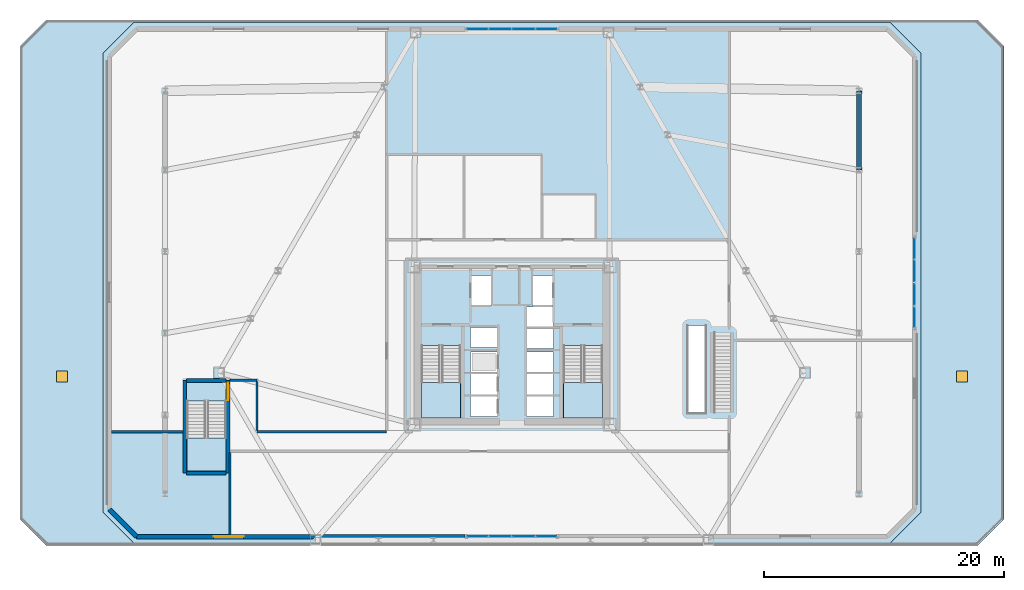
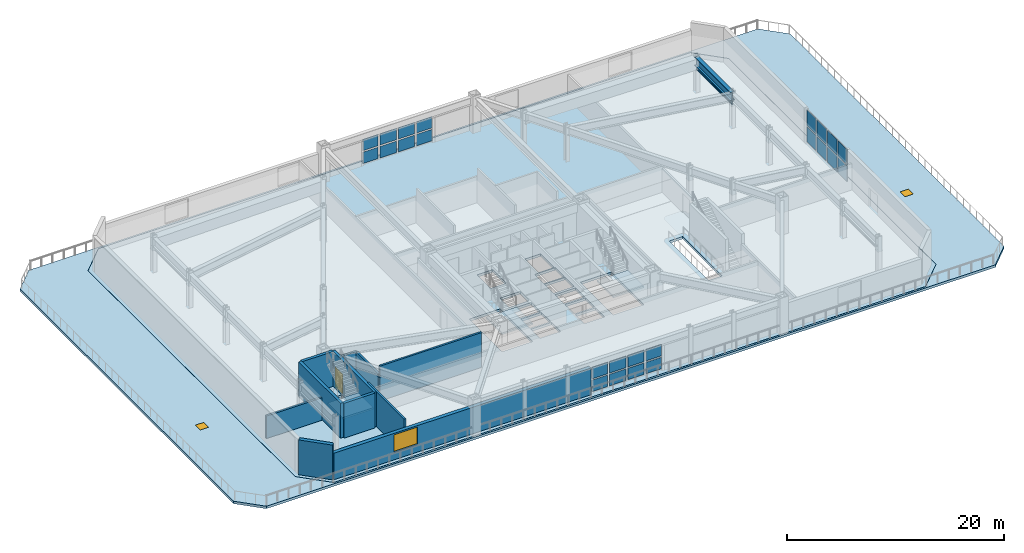
# One storey, part 7 of 16: 24 plates, 11 walls, 5 slabs, 3 windows, 2 beams, 1 door, 4 openings, 6 elements without a shape of their own.
"""IFC4 building model written with IfcOpenShell, lengths in metres."""

from ifc_helpers import new_model, si_unit, direction, frame, frame_2d, origin, origin_2d, place, context, subcontext, project, spatial, polyline, rectangle, i_section, outline, extrude, material, layer, layer_set, material_profile, profile_set, type_object, element, fill, aggregate, save


model = new_model("IFC4")

# Units and contexts
model_context = context("Model", 3, precision=1e-05, world=origin(), true_north=direction((0.0, 1.0)))
body_context = subcontext(model_context, "Body", "Model", "MODEL_VIEW")
ifc_project = project(units=[si_unit("LENGTHUNIT", "METRE"), si_unit("AREAUNIT", "SQUARE_METRE"), si_unit("VOLUMEUNIT", "CUBIC_METRE"), si_unit("PLANEANGLEUNIT", "RADIAN"), si_unit("MASSUNIT", "GRAM", prefix="KILO")], contexts=[model_context])

# Site, building, storey
site_placement = place(None, origin())
site = spatial("IfcSite", under=ifc_project, at=site_placement, CompositionType="ELEMENT")
building_placement = place(site_placement, origin())
building = spatial("IfcBuilding", under=site, at=building_placement, Name="Oramaril Tower", CompositionType="ELEMENT")
storey_placement = place(building_placement, frame((0.0, 0.0, 9.89990234375)))
storey = spatial("IfcBuildingStorey", under=building, at=storey_placement, Name="L02", CompositionType="ELEMENT", Elevation=9.89990234375)

# Beams
ifc_material_1 = material(Name="Steel ASTM A572 Gr 50", Category="steel")
ifc_material_profile_1 = material_profile(ifc_material_1, i_section(OverallWidth=0.1650390625, OverallDepth=0.31005859375, WebThickness=0.005859375, FlangeThickness=0.009765625, at=origin_2d()), Name="W12X26")
ifc_profile_set_1 = profile_set([ifc_material_profile_1], Name="Steel ASTM A572 Gr 50")
beam_type_1 = type_object("IfcBeamType", Name="BT-LN1", PredefinedType="LINTEL", material=ifc_profile_set_1)
beam_1_placement = place(storey_placement, frame((66.39990234375, 32.199951171875, 2.695068359375), z_axis=(0.0, 1.0, 0.0), x_axis=(-1.0, 0.0, 0.0)))
element("IfcBeam", 1, at=beam_1_placement, inside=storey, type_object=beam_type_1, Name="L02 Podium Opening Lintel Beam", PredefinedType="LINTEL", context=body_context, shape_type="SweptSolid", body=[
    extrude(i_section(OverallWidth=0.1650390625, OverallDepth=0.31005859375, WebThickness=0.005859375, FlangeThickness=0.009765625, at=origin_2d()), origin(), (0.0, 0.0, 1.0), 6.60009765625),
])
ifc_material_2 = material(Name="Steel ASTM A572 Gr 50", Category="steel")
ifc_material_profile_2 = material_profile(ifc_material_2, i_section(OverallWidth=0.4189453125, OverallDepth=0.927001953125, WebThickness=0.019287109375, FlangeThickness=0.031982421875, at=origin_2d()), Name="W36X231")
ifc_profile_set_2 = profile_set([ifc_material_profile_2], Name="Steel ASTM A572 Gr 50")
beam_type_2 = type_object("IfcBeamType", Name="BT-PG2", PredefinedType="BEAM", material=ifc_profile_set_2)
beam_2_placement = place(storey_placement, frame((66.39990234375, 32.199951171875, 3.45654296875), z_axis=(0.0, 1.0, 0.0), x_axis=(-1.0, 0.0, 0.0)))
element("IfcBeam", 2, at=beam_2_placement, inside=storey, type_object=beam_type_2, Name="L02 Podium Perimeter Girder 11", PredefinedType="BEAM", context=body_context, shape_type="SweptSolid", body=[
    extrude(i_section(OverallWidth=0.4189453125, OverallDepth=0.927001953125, WebThickness=0.019287109375, FlangeThickness=0.031982421875, at=origin_2d()), origin(), (0.0, 0.0, 1.0), 6.60009765625),
])

# Curtain wall, plates
ifc_material_3 = material(Name="Anodised Aluminium 6063-T6", Category="aluminium")
ifc_layer_1 = layer(ifc_material_3, 0.219970703125)
ifc_layer_set_1 = layer_set([ifc_layer_1], Name="CWT-SYS1")
curtain_wall_type = type_object("IfcCurtainWallType", Name="CWT-SYS1", PredefinedType="NOTDEFINED", material=ifc_layer_set_1)
curtain_wall_1_placement = place(storey_placement, origin())
curtain_wall_1 = element("IfcCurtainWall", 3, at=curtain_wall_1_placement, inside=storey, type_object=curtain_wall_type, Name="L02 Unitised Curtain Wall CW-1", PredefinedType="NOTDEFINED")
ifc_material_4 = material(Name="Coastal Low-E Insulated Glass", Category="glass")
ifc_layer_2 = layer(ifc_material_4, 0.031982421875)
ifc_layer_set_2 = layer_set([ifc_layer_2], Name="PLT-CWP2")
plate_type = type_object("IfcPlateType", Name="PLT-CWP2", PredefinedType="CURTAIN_PANEL", material=ifc_layer_set_2)
plate_1_placement = place(storey_placement, frame((34.6298828125, 1.64990234375, 0.16015625), z_axis=(0.0, 0.0, 1.0), x_axis=(1.0, 0.0, 0.0)))
plate_1 = element("IfcPlate", 4, at=plate_1_placement, type_object=plate_type, Name="CW-1 panel 1.1", PredefinedType="CURTAIN_PANEL", context=body_context, shape_type="SweptSolid", body=[
    extrude(rectangle(XDim=1.6201171875, YDim=0.031982421875, at=origin_2d()), origin(), (0.0, 0.0, 1.0), 1.287109375),
])
plate_2_placement = place(storey_placement, frame((34.6298828125, 1.64990234375, 1.60693359375), z_axis=(0.0, 0.0, 1.0), x_axis=(1.0, 0.0, 0.0)))
plate_2 = element("IfcPlate", 5, at=plate_2_placement, type_object=plate_type, Name="CW-1 panel 1.2", PredefinedType="CURTAIN_PANEL", context=body_context, shape_type="SweptSolid", body=[
    extrude(rectangle(XDim=1.6201171875, YDim=0.031982421875, at=origin_2d()), origin(), (0.0, 0.0, 1.0), 1.287109375),
])
plate_3_placement = place(storey_placement, frame((36.52490234375, 1.64990234375, 0.16015625), z_axis=(0.0, 0.0, 1.0), x_axis=(1.0, 0.0, 0.0)))
plate_3 = element("IfcPlate", 6, at=plate_3_placement, type_object=plate_type, Name="CW-1 panel 2.1", PredefinedType="CURTAIN_PANEL", context=body_context, shape_type="SweptSolid", body=[
    extrude(rectangle(XDim=1.72998046875, YDim=0.031982421875, at=origin_2d()), origin(), (0.0, 0.0, 1.0), 1.287109375),
])
plate_4_placement = place(storey_placement, frame((36.52490234375, 1.64990234375, 1.60693359375), z_axis=(0.0, 0.0, 1.0), x_axis=(1.0, 0.0, 0.0)))
plate_4 = element("IfcPlate", 7, at=plate_4_placement, type_object=plate_type, Name="CW-1 panel 2.2", PredefinedType="CURTAIN_PANEL", context=body_context, shape_type="SweptSolid", body=[
    extrude(rectangle(XDim=1.72998046875, YDim=0.031982421875, at=origin_2d()), origin(), (0.0, 0.0, 1.0), 1.287109375),
])
plate_5_placement = place(storey_placement, frame((38.47509765625, 1.64990234375, 0.16015625), z_axis=(0.0, 0.0, 1.0), x_axis=(1.0, 0.0, 0.0)))
plate_5 = element("IfcPlate", 8, at=plate_5_placement, type_object=plate_type, Name="CW-1 panel 3.1", PredefinedType="CURTAIN_PANEL", context=body_context, shape_type="SweptSolid", body=[
    extrude(rectangle(XDim=1.72998046875, YDim=0.031982421875, at=origin_2d()), origin(), (0.0, 0.0, 1.0), 1.287109375),
])
plate_6_placement = place(storey_placement, frame((38.47509765625, 1.64990234375, 1.60693359375), z_axis=(0.0, 0.0, 1.0), x_axis=(1.0, 0.0, 0.0)))
plate_6 = element("IfcPlate", 9, at=plate_6_placement, type_object=plate_type, Name="CW-1 panel 3.2", PredefinedType="CURTAIN_PANEL", context=body_context, shape_type="SweptSolid", body=[
    extrude(rectangle(XDim=1.72998046875, YDim=0.031982421875, at=origin_2d()), origin(), (0.0, 0.0, 1.0), 1.287109375),
])
plate_7_placement = place(storey_placement, frame((40.3701171875, 1.64990234375, 0.16015625), z_axis=(0.0, 0.0, 1.0), x_axis=(1.0, 0.0, 0.0)))
plate_7 = element("IfcPlate", 10, at=plate_7_placement, type_object=plate_type, Name="CW-1 panel 4.1", PredefinedType="CURTAIN_PANEL", context=body_context, shape_type="SweptSolid", body=[
    extrude(rectangle(XDim=1.6201171875, YDim=0.031982421875, at=origin_2d()), origin(), (0.0, 0.0, 1.0), 1.287109375),
])
plate_8_placement = place(storey_placement, frame((40.3701171875, 1.64990234375, 1.60693359375), z_axis=(0.0, 0.0, 1.0), x_axis=(1.0, 0.0, 0.0)))
plate_8 = element("IfcPlate", 11, at=plate_8_placement, type_object=plate_type, Name="CW-1 panel 4.2", PredefinedType="CURTAIN_PANEL", context=body_context, shape_type="SweptSolid", body=[
    extrude(rectangle(XDim=1.6201171875, YDim=0.031982421875, at=origin_2d()), origin(), (0.0, 0.0, 1.0), 1.287109375),
])
aggregate(curtain_wall_1, [plate_1, plate_2, plate_3, plate_4, plate_5, plate_6, plate_7, plate_8])

curtain_wall_2_placement = place(storey_placement, origin())
curtain_wall_2 = element("IfcCurtainWall", 12, at=curtain_wall_2_placement, inside=storey, type_object=curtain_wall_type, Name="L02 Unitised Curtain Wall CW-1", PredefinedType="NOTDEFINED")
plate_9_placement = place(storey_placement, frame((71.050048828125, 19.929931640625, 0.16015625), z_axis=(0.0, 0.0, 1.0), x_axis=(0.0, 1.0, 0.0)))
plate_9 = element("IfcPlate", 13, at=plate_9_placement, type_object=plate_type, Name="CW-1 panel 1.1", PredefinedType="CURTAIN_PANEL", context=body_context, shape_type="SweptSolid", body=[
    extrude(rectangle(XDim=1.6201171875, YDim=0.031982421875, at=origin_2d()), origin(), (0.0, 0.0, 1.0), 1.719970703125),
])
plate_10_placement = place(storey_placement, frame((71.050048828125, 19.929931640625, 2.0400390625), z_axis=(0.0, 0.0, 1.0), x_axis=(0.0, 1.0, 0.0)))
plate_10 = element("IfcPlate", 14, at=plate_10_placement, type_object=plate_type, Name="CW-1 panel 1.2", PredefinedType="CURTAIN_PANEL", context=body_context, shape_type="SweptSolid", body=[
    extrude(rectangle(XDim=1.6201171875, YDim=0.031982421875, at=origin_2d()), origin(), (0.0, 0.0, 1.0), 1.719970703125),
])
plate_11_placement = place(storey_placement, frame((71.050048828125, 21.824951171875, 0.16015625), z_axis=(0.0, 0.0, 1.0), x_axis=(0.0, 1.0, 0.0)))
plate_11 = element("IfcPlate", 15, at=plate_11_placement, type_object=plate_type, Name="CW-1 panel 2.1", PredefinedType="CURTAIN_PANEL", context=body_context, shape_type="SweptSolid", body=[
    extrude(rectangle(XDim=1.72998046875, YDim=0.031982421875, at=origin_2d()), origin(), (0.0, 0.0, 1.0), 1.719970703125),
])
plate_12_placement = place(storey_placement, frame((71.050048828125, 21.824951171875, 2.0400390625), z_axis=(0.0, 0.0, 1.0), x_axis=(0.0, 1.0, 0.0)))
plate_12 = element("IfcPlate", 16, at=plate_12_placement, type_object=plate_type, Name="CW-1 panel 2.2", PredefinedType="CURTAIN_PANEL", context=body_context, shape_type="SweptSolid", body=[
    extrude(rectangle(XDim=1.72998046875, YDim=0.031982421875, at=origin_2d()), origin(), (0.0, 0.0, 1.0), 1.719970703125),
])
plate_13_placement = place(storey_placement, frame((71.050048828125, 23.77490234375, 0.16015625), z_axis=(0.0, 0.0, 1.0), x_axis=(0.0, 1.0, 0.0)))
plate_13 = element("IfcPlate", 17, at=plate_13_placement, type_object=plate_type, Name="CW-1 panel 3.1", PredefinedType="CURTAIN_PANEL", context=body_context, shape_type="SweptSolid", body=[
    extrude(rectangle(XDim=1.72998046875, YDim=0.031982421875, at=origin_2d()), origin(), (0.0, 0.0, 1.0), 1.719970703125),
])
plate_14_placement = place(storey_placement, frame((71.050048828125, 23.77490234375, 2.0400390625), z_axis=(0.0, 0.0, 1.0), x_axis=(0.0, 1.0, 0.0)))
plate_14 = element("IfcPlate", 18, at=plate_14_placement, type_object=plate_type, Name="CW-1 panel 3.2", PredefinedType="CURTAIN_PANEL", context=body_context, shape_type="SweptSolid", body=[
    extrude(rectangle(XDim=1.72998046875, YDim=0.031982421875, at=origin_2d()), origin(), (0.0, 0.0, 1.0), 1.719970703125),
])
plate_15_placement = place(storey_placement, frame((71.050048828125, 25.669921875, 0.16015625), z_axis=(0.0, 0.0, 1.0), x_axis=(0.0, 1.0, 0.0)))
plate_15 = element("IfcPlate", 19, at=plate_15_placement, type_object=plate_type, Name="CW-1 panel 4.1", PredefinedType="CURTAIN_PANEL", context=body_context, shape_type="SweptSolid", body=[
    extrude(rectangle(XDim=1.6201171875, YDim=0.031982421875, at=origin_2d()), origin(), (0.0, 0.0, 1.0), 1.719970703125),
])
plate_16_placement = place(storey_placement, frame((71.050048828125, 25.669921875, 2.0400390625), z_axis=(0.0, 0.0, 1.0), x_axis=(0.0, 1.0, 0.0)))
plate_16 = element("IfcPlate", 20, at=plate_16_placement, type_object=plate_type, Name="CW-1 panel 4.2", PredefinedType="CURTAIN_PANEL", context=body_context, shape_type="SweptSolid", body=[
    extrude(rectangle(XDim=1.6201171875, YDim=0.031982421875, at=origin_2d()), origin(), (0.0, 0.0, 1.0), 1.719970703125),
])
aggregate(curtain_wall_2, [plate_9, plate_10, plate_11, plate_12, plate_13, plate_14, plate_15, plate_16])

curtain_wall_3_placement = place(storey_placement, origin())
curtain_wall_3 = element("IfcCurtainWall", 21, at=curtain_wall_3_placement, inside=storey, type_object=curtain_wall_type, Name="L02 Unitised Curtain Wall CW-1", PredefinedType="NOTDEFINED")
plate_17_placement = place(storey_placement, frame((40.3701171875, 43.949951171875, 0.16015625), z_axis=(0.0, 0.0, 1.0), x_axis=(-1.0, 0.0, 0.0)))
plate_17 = element("IfcPlate", 22, at=plate_17_placement, type_object=plate_type, Name="CW-1 panel 1.1", PredefinedType="CURTAIN_PANEL", context=body_context, shape_type="SweptSolid", body=[
    extrude(rectangle(XDim=1.6201171875, YDim=0.031982421875, at=origin_2d()), origin(), (0.0, 0.0, 1.0), 1.287109375),
])
plate_18_placement = place(storey_placement, frame((40.3701171875, 43.949951171875, 1.60693359375), z_axis=(0.0, 0.0, 1.0), x_axis=(-1.0, 0.0, 0.0)))
plate_18 = element("IfcPlate", 23, at=plate_18_placement, type_object=plate_type, Name="CW-1 panel 1.2", PredefinedType="CURTAIN_PANEL", context=body_context, shape_type="SweptSolid", body=[
    extrude(rectangle(XDim=1.6201171875, YDim=0.031982421875, at=origin_2d()), origin(), (0.0, 0.0, 1.0), 1.287109375),
])
plate_19_placement = place(storey_placement, frame((38.47509765625, 43.949951171875, 0.16015625), z_axis=(0.0, 0.0, 1.0), x_axis=(-1.0, 0.0, 0.0)))
plate_19 = element("IfcPlate", 24, at=plate_19_placement, type_object=plate_type, Name="CW-1 panel 2.1", PredefinedType="CURTAIN_PANEL", context=body_context, shape_type="SweptSolid", body=[
    extrude(rectangle(XDim=1.72998046875, YDim=0.031982421875, at=origin_2d()), origin(), (0.0, 0.0, 1.0), 1.287109375),
])
plate_20_placement = place(storey_placement, frame((38.47509765625, 43.949951171875, 1.60693359375), z_axis=(0.0, 0.0, 1.0), x_axis=(-1.0, 0.0, 0.0)))
plate_20 = element("IfcPlate", 25, at=plate_20_placement, type_object=plate_type, Name="CW-1 panel 2.2", PredefinedType="CURTAIN_PANEL", context=body_context, shape_type="SweptSolid", body=[
    extrude(rectangle(XDim=1.72998046875, YDim=0.031982421875, at=origin_2d()), origin(), (0.0, 0.0, 1.0), 1.287109375),
])
plate_21_placement = place(storey_placement, frame((36.52490234375, 43.949951171875, 0.16015625), z_axis=(0.0, 0.0, 1.0), x_axis=(-1.0, 0.0, 0.0)))
plate_21 = element("IfcPlate", 26, at=plate_21_placement, type_object=plate_type, Name="CW-1 panel 3.1", PredefinedType="CURTAIN_PANEL", context=body_context, shape_type="SweptSolid", body=[
    extrude(rectangle(XDim=1.72998046875, YDim=0.031982421875, at=origin_2d()), origin(), (0.0, 0.0, 1.0), 1.287109375),
])
plate_22_placement = place(storey_placement, frame((36.52490234375, 43.949951171875, 1.60693359375), z_axis=(0.0, 0.0, 1.0), x_axis=(-1.0, 0.0, 0.0)))
plate_22 = element("IfcPlate", 27, at=plate_22_placement, type_object=plate_type, Name="CW-1 panel 3.2", PredefinedType="CURTAIN_PANEL", context=body_context, shape_type="SweptSolid", body=[
    extrude(rectangle(XDim=1.72998046875, YDim=0.031982421875, at=origin_2d()), origin(), (0.0, 0.0, 1.0), 1.287109375),
])
plate_23_placement = place(storey_placement, frame((34.6298828125, 43.949951171875, 0.16015625), z_axis=(0.0, 0.0, 1.0), x_axis=(-1.0, 0.0, 0.0)))
plate_23 = element("IfcPlate", 28, at=plate_23_placement, type_object=plate_type, Name="CW-1 panel 4.1", PredefinedType="CURTAIN_PANEL", context=body_context, shape_type="SweptSolid", body=[
    extrude(rectangle(XDim=1.6201171875, YDim=0.031982421875, at=origin_2d()), origin(), (0.0, 0.0, 1.0), 1.287109375),
])
plate_24_placement = place(storey_placement, frame((34.6298828125, 43.949951171875, 1.60693359375), z_axis=(0.0, 0.0, 1.0), x_axis=(-1.0, 0.0, 0.0)))
plate_24 = element("IfcPlate", 29, at=plate_24_placement, type_object=plate_type, Name="CW-1 panel 4.2", PredefinedType="CURTAIN_PANEL", context=body_context, shape_type="SweptSolid", body=[
    extrude(rectangle(XDim=1.6201171875, YDim=0.031982421875, at=origin_2d()), origin(), (0.0, 0.0, 1.0), 1.287109375),
])
aggregate(curtain_wall_3, [plate_17, plate_18, plate_19, plate_20, plate_21, plate_22, plate_23, plate_24])

# Stair, slab
ifc_material_5 = material(Name="Concrete C50/60", Category="concrete")
stair_type = type_object("IfcStairType", Name="STT-DG-4200", PredefinedType="HALF_TURN_STAIR", material=ifc_material_5)
stair_1_placement = place(storey_placement, origin())
stair_1 = element("IfcStair", 30, at=stair_1_placement, inside=storey, type_object=stair_type, Name="L02 Protected PFP Exit Stair ST-1", PredefinedType="HALF_TURN_STAIR")
ifc_material_6 = material(Name="Concrete C50/60", Category="concrete")
ifc_layer_3 = layer(ifc_material_6, 0.199951171875)
ifc_layer_set_3 = layer_set([ifc_layer_3], Name="SLT-LND20")
slab_type_1 = type_object("IfcSlabType", Name="SLT-LND20", PredefinedType="LANDING", material=ifc_layer_set_3)
slab_1_placement = place(storey_placement, frame((0.0, 0.0, 1.900146484375)))
slab_1 = element("IfcSlab", 31, at=slab_1_placement, type_object=slab_type_1, Name="ST-1 landing 1", PredefinedType="LANDING", context=body_context, shape_type="SweptSolid", body=[
    extrude(outline(polyline([(29.949951171875, 14.510009765625), (29.949951171875, 11.550048828125), (33.219970703125, 11.550048828125), (33.219970703125, 14.510009765625), (29.949951171875, 14.510009765625)])), origin(), (0.0, 0.0, 1.0), 0.199951171875),
])
aggregate(stair_1, [slab_1])

stair_2_placement = place(storey_placement, origin())
stair_2 = element("IfcStair", 32, at=stair_2_placement, inside=storey, type_object=stair_type, Name="L02 Protected PFP Exit Stair ST-2", PredefinedType="HALF_TURN_STAIR")
slab_2_placement = place(storey_placement, frame((0.0, 0.0, 1.900146484375)))
slab_2 = element("IfcSlab", 33, at=slab_2_placement, type_object=slab_type_1, Name="ST-2 landing 1", PredefinedType="LANDING", context=body_context, shape_type="SweptSolid", body=[
    extrude(outline(polyline([(41.780029296875, 14.510009765625), (41.780029296875, 11.550048828125), (45.050048828125, 11.550048828125), (45.050048828125, 14.510009765625), (41.780029296875, 14.510009765625)])), origin(), (0.0, 0.0, 1.0), 0.199951171875),
])
aggregate(stair_2, [slab_2])

stair_3_placement = place(storey_placement, origin())
stair_3 = element("IfcStair", 34, at=stair_3_placement, inside=storey, type_object=stair_type, Name="L02 Podium Enclosed Exit Stair ST-3", PredefinedType="HALF_TURN_STAIR")
slab_3_placement = place(storey_placement, frame((0.0, 0.0, 1.900146484375)))
slab_3 = element("IfcSlab", 35, at=slab_3_placement, type_object=slab_type_1, Name="ST-3 landing 1", PredefinedType="LANDING", context=body_context, shape_type="SweptSolid", body=[
    extrude(outline(polyline([(10.39990234375, 9.860107421875), (10.39990234375, 7.10009765625), (13.669921875, 7.10009765625), (13.669921875, 9.860107421875), (10.39990234375, 9.860107421875)])), origin(), (0.0, 0.0, 1.0), 0.199951171875),
])
aggregate(stair_3, [slab_3])

# Slab
ifc_material_7 = material(Name="Concrete C50/60", Category="concrete")
ifc_layer_4 = layer(ifc_material_7, 0.280029296875)
ifc_layer_set_4 = layer_set([ifc_layer_4], Name="SLT-POD28")
slab_type_2 = type_object("IfcSlabType", Name="SLT-POD28", PredefinedType="FLOOR", material=ifc_layer_set_4)
slab_4_placement = place(storey_placement, frame((0.0, 0.0, -0.27978515625)))
element("IfcSlab", 36, at=slab_4_placement, inside=storey, type_object=slab_type_2, Name="L02 Structural Floor Slab", PredefinedType="FLOOR", context=body_context, shape_type="SweptSolid", body=[
    extrude(outline(polyline([(6.0, 1.10009765625), (69.0, 1.10009765625), (71.60009765625, 3.699951171875), (71.60009765625, 41.89990234375), (69.0, 44.5), (6.0, 44.5), (3.39990234375, 41.89990234375), (3.39990234375, 3.699951171875), (6.0, 1.10009765625)]), holes=[polyline([(29.949951171875, 17.58935546875), (29.949951171875, 11.550048828125), (33.219970703125, 11.550048828125), (33.219970703125, 17.58935546875), (29.949951171875, 17.58935546875)]), polyline([(41.780029296875, 17.58935546875), (41.780029296875, 11.550048828125), (45.050048828125, 11.550048828125), (45.050048828125, 17.58935546875), (41.780029296875, 17.58935546875)]), polyline([(10.39990234375, 12.939453125), (10.39990234375, 7.10009765625), (13.669921875, 7.10009765625), (13.669921875, 12.939453125), (10.39990234375, 12.939453125)]), polyline([(52.175048828125, 11.949951171875), (53.625, 11.949951171875), (53.625, 19.24951171875), (52.175048828125, 19.24951171875), (52.175048828125, 11.949951171875)]), polyline([(34.110107421875, 20.909912109375), (35.7900390625, 20.909912109375), (35.7900390625, 23.389892578125), (34.110107421875, 23.389892578125), (34.110107421875, 20.909912109375)]), polyline([(39.2099609375, 20.909912109375), (40.889892578125, 20.909912109375), (40.889892578125, 23.389892578125), (39.2099609375, 23.389892578125), (39.2099609375, 20.909912109375)]), polyline([(34.06005859375, 11.659912109375), (36.239990234375, 11.659912109375), (36.239990234375, 13.340087890625), (34.06005859375, 13.340087890625), (34.06005859375, 11.659912109375)]), polyline([(34.06005859375, 13.510009765625), (36.239990234375, 13.510009765625), (36.239990234375, 15.18994140625), (34.06005859375, 15.18994140625), (34.06005859375, 13.510009765625)]), polyline([(34.06005859375, 15.360107421875), (36.239990234375, 15.360107421875), (36.239990234375, 17.0400390625), (34.06005859375, 17.0400390625), (34.06005859375, 15.360107421875)]), polyline([(38.760009765625, 11.659912109375), (40.93994140625, 11.659912109375), (40.93994140625, 13.340087890625), (38.760009765625, 13.340087890625), (38.760009765625, 11.659912109375)]), polyline([(38.760009765625, 13.510009765625), (40.93994140625, 13.510009765625), (40.93994140625, 15.18994140625), (38.760009765625, 15.18994140625), (38.760009765625, 13.510009765625)]), polyline([(38.760009765625, 15.360107421875), (40.93994140625, 15.360107421875), (40.93994140625, 17.0400390625), (38.760009765625, 17.0400390625), (38.760009765625, 15.360107421875)]), polyline([(34.06005859375, 17.409912109375), (36.239990234375, 17.409912109375), (36.239990234375, 19.090087890625), (34.06005859375, 19.090087890625), (34.06005859375, 17.409912109375)]), polyline([(38.760009765625, 17.31005859375), (40.93994140625, 17.31005859375), (40.93994140625, 18.989990234375), (38.760009765625, 18.989990234375), (38.760009765625, 17.31005859375)]), polyline([(38.760009765625, 19.110107421875), (40.93994140625, 19.110107421875), (40.93994140625, 20.7900390625), (38.760009765625, 20.7900390625), (38.760009765625, 19.110107421875)])]), origin(), (0.0, 0.0, 1.0), 0.27978515625),
])

# Slab, openings, windows
ifc_material_8 = material(Name="Concrete C40/50", Category="concrete")
ifc_layer_5 = layer(ifc_material_8, 0.2099609375)
ifc_layer_set_5 = layer_set([ifc_layer_5], Name="SLT-TER21")
slab_type_3 = type_object("IfcSlabType", Name="SLT-TER21", PredefinedType="FLOOR", material=ifc_layer_set_5)
slab_5_placement = place(storey_placement, frame((0.0, 0.0, -0.27978515625)))
slab_5 = element("IfcSlab", 37, at=slab_5_placement, inside=storey, type_object=slab_type_3, Name="L02 Landscaped Podium Roof Terrace Deck 1", PredefinedType="FLOOR", context=body_context, shape_type="SweptSolid", body=[
    extrude(outline(polyline([(-3.5, 3.10009765625), (-3.5, 42.5), (-1.300048828125, 44.699951171875), (76.300048828125, 44.699951171875), (78.5, 42.5), (78.5, 3.10009765625), (76.300048828125, 0.89990234375), (-1.300048828125, 0.89990234375), (-3.5, 3.10009765625)]), holes=[polyline([(69.002197265625, 1.094970703125), (71.60498046875, 3.697998046875), (71.60498046875, 41.902099609375), (69.002197265625, 44.5048828125), (5.997802734375, 44.5048828125), (3.39501953125, 41.902099609375), (3.39501953125, 3.697998046875), (5.997802734375, 1.094970703125), (69.002197265625, 1.094970703125)])]), origin(), (0.0, 0.0, 1.0), 0.27978515625),
])
opening_1_placement = place(slab_5_placement, frame((0.0, 15.0, 0.0)))
opening_1 = element("IfcOpeningElement", 38, at=opening_1_placement, cuts=slab_5, Name="Opening WH-01", PredefinedType="OPENING", context=body_context, shape_type="SweptSolid", body=[
    extrude(rectangle(XDim=0.89990234375, YDim=0.89990234375, at=origin_2d()), origin(), (0.0, 0.0, 1.0), 0.27978515625),
])
opening_2_placement = place(slab_5_placement, frame((75.0, 15.0, 0.0)))
opening_2 = element("IfcOpeningElement", 39, at=opening_2_placement, cuts=slab_5, Name="Opening WH-01", PredefinedType="OPENING", context=body_context, shape_type="SweptSolid", body=[
    extrude(rectangle(XDim=0.89990234375, YDim=0.89990234375, at=origin_2d()), origin(), (0.0, 0.0, 1.0), 0.27978515625),
])
ifc_material_9 = material(Name="Coastal Low-E Insulated Glass", Category="glass")
window_type_1 = type_object("IfcWindowType", Name="WNT-HT1", PartitioningType="SINGLE_PANEL", PredefinedType="SKYLIGHT", material=ifc_material_9)
window_1_placement = place(opening_1_placement, frame((0.0, 0.0, 0.229736328125)))
window_1 = element("IfcWindow", 40, at=window_1_placement, inside=storey, type_object=window_type_1, Name="L02 Glazed Roof Access Skylight Hatch", OverallHeight=0.89990234375, OverallWidth=0.89990234375, PartitioningType="SINGLE_PANEL", PredefinedType="SKYLIGHT", context=body_context, shape_type="SweptSolid", body=[
    extrude(rectangle(XDim=0.89990234375, YDim=0.89990234375, at=origin_2d()), origin(), (0.0, 0.0, 1.0), 0.050048828125),
])
fill(opening_1, window_1)
window_2_placement = place(opening_2_placement, frame((0.0, 0.0, 0.229736328125)))
window_2 = element("IfcWindow", 41, at=window_2_placement, inside=storey, type_object=window_type_1, Name="L02 Glazed Roof Access Skylight Hatch", OverallHeight=0.89990234375, OverallWidth=0.89990234375, PartitioningType="SINGLE_PANEL", PredefinedType="SKYLIGHT", context=body_context, shape_type="SweptSolid", body=[
    extrude(rectangle(XDim=0.89990234375, YDim=0.89990234375, at=origin_2d()), origin(), (0.0, 0.0, 1.0), 0.050048828125),
])
fill(opening_2, window_2)

# Wall, opening, window
ifc_material_10 = material(Name="Warm Cream Limestone", Category="masonry")
ifc_layer_6 = layer(ifc_material_10, 0.3798828125)
ifc_layer_set_6 = layer_set([ifc_layer_6], Name="WT-EXT38")
wall_type_1 = type_object("IfcWallType", Name="WT-EXT38", PredefinedType="SOLIDWALL", material=ifc_layer_set_6)
wall_1_placement = place(storey_placement, frame((6.227783203125, 1.64990234375, 0.0), z_axis=(0.0, 0.0, 1.0), x_axis=(1.0, 0.0, 0.0)))
wall_1 = element("IfcWall", 42, at=wall_1_placement, inside=storey, type_object=wall_type_1, Name="L02 Limestone Facade Wall EW-1A", PredefinedType="SOLIDWALL", context=body_context, shape_type="SweptSolid", body=[
    extrude(rectangle(XDim=27.372314453125, YDim=0.3798828125, at=frame_2d((13.68603515625, 0.0))), origin(), (0.0, 0.0, 1.0), 2.983154296875),
])
opening_3_placement = place(wall_1_placement, frame((6.414306640625, 0.0, 0.85009765625)))
opening_3 = element("IfcOpeningElement", 43, at=opening_3_placement, cuts=wall_1, Name="Opening WN-11", PredefinedType="OPENING", context=body_context, shape_type="SweptSolid", body=[
    extrude(rectangle(XDim=2.5, YDim=1.962890625, at=frame_2d((1.25, 0.9814453125))), frame((0.0, 0.18994140625, 0.0), z_axis=(0.0, -1.0, 0.0), x_axis=(1.0, 0.0, 0.0)), (0.0, 0.0, 1.0), 0.3798828125),
])
ifc_material_11 = material(Name="Coastal Low-E Insulated Glass", Category="glass")
window_type_2 = type_object("IfcWindowType", Name="WNT-11", PartitioningType="SINGLE_PANEL", PredefinedType="WINDOW", material=ifc_material_11)
window_3_placement = place(opening_3_placement, origin())
window_3 = element("IfcWindow", 44, at=window_3_placement, inside=storey, type_object=window_type_2, Name="L02 Podium Chicago Window", OverallHeight=1.962890625, OverallWidth=2.5, PartitioningType="SINGLE_PANEL", PredefinedType="WINDOW", context=body_context, shape_type="SweptSolid", body=[
    extrude(rectangle(XDim=2.5, YDim=1.962890625, at=frame_2d((1.25, 0.9814453125))), frame((0.0, 0.030029296875, 0.0), z_axis=(0.0, -1.0, 0.0), x_axis=(1.0, 0.0, 0.0)), (0.0, 0.0, 1.0), 0.06005859375),
])
fill(opening_3, window_3)

# Walls
wall_2_placement = place(storey_placement, frame((3.949951171875, 3.927734375, 0.0), z_axis=(0.0, 0.0, 1.0), x_axis=(0.707106781187, -0.707106781187, 0.0)))
element("IfcWall", 45, at=wall_2_placement, inside=storey, type_object=wall_type_1, Name="L02 Limestone Facade Wall EW-8M", PredefinedType="SOLIDWALL", context=body_context, shape_type="SweptSolid", body=[
    extrude(rectangle(XDim=3.221435546875, YDim=0.3798828125, at=frame_2d((1.61083984375, 0.0))), origin(), (0.0, 0.0, 1.0), 3.920166015625),
])
ifc_material_12 = material(Name="Autoclaved Cellular Concrete Block", Category="concrete")
ifc_layer_7 = layer(ifc_material_12, 0.199951171875)
ifc_layer_set_7 = layer_set([ifc_layer_7], Name="WT-PT20")
wall_type_2 = type_object("IfcWallType", Name="WT-PT20", PredefinedType="PARTITIONING", material=ifc_layer_set_7)
wall_3_placement = place(storey_placement, frame((4.14404296875, 10.39990234375, 0.0), z_axis=(0.0, 0.0, 1.0), x_axis=(1.0, 0.0, 0.0)))
element("IfcWall", 46, at=wall_3_placement, inside=storey, type_object=wall_type_2, Name="L02 Interior Partition PT-20", PredefinedType="PARTITIONING", context=body_context, shape_type="SweptSolid", body=[
    extrude(rectangle(XDim=5.93603515625, YDim=0.199951171875, at=frame_2d((2.968017578125, 0.0))), origin(), (0.0, 0.0, 1.0), 2.530029296875),
])
wall_4_placement = place(storey_placement, frame((16.25, 10.39990234375, 0.0), z_axis=(0.0, 0.0, 1.0), x_axis=(1.0, 0.0, 0.0)))
element("IfcWall", 47, at=wall_4_placement, inside=storey, type_object=wall_type_2, Name="L02 Interior Partition PT-20", PredefinedType="PARTITIONING", context=body_context, shape_type="SweptSolid", body=[
    extrude(rectangle(XDim=10.800048828125, YDim=0.199951171875, at=frame_2d((5.39990234375, 0.0))), origin(), (0.0, 0.0, 1.0), 3.920166015625),
])
wall_5_placement = place(storey_placement, frame((13.989990234375, 14.679931640625, 0.0), z_axis=(0.0, 0.0, 1.0), x_axis=(1.0, 0.0, 0.0)))
element("IfcWall", 48, at=wall_5_placement, inside=storey, type_object=wall_type_2, Name="L02 Interior Partition PT-20", PredefinedType="PARTITIONING", context=body_context, shape_type="SweptSolid", body=[
    extrude(rectangle(XDim=2.260009765625, YDim=0.199951171875, at=frame_2d((1.1298828125, 0.0))), origin(), (0.0, 0.0, 1.0), 2.983154296875),
])
wall_6_placement = place(storey_placement, frame((14.0, 1.843994140625, 0.0), z_axis=(0.0, 0.0, 1.0), x_axis=(0.0, 1.0, 0.0)))
element("IfcWall", 49, at=wall_6_placement, inside=storey, type_object=wall_type_2, Name="L02 Interior Partition PT-20", PredefinedType="PARTITIONING", context=body_context, shape_type="SweptSolid", body=[
    extrude(rectangle(XDim=6.802001953125, YDim=0.199951171875, at=frame_2d((3.40087890625, 0.0))), origin(), (0.0, 0.0, 1.0), 3.920166015625),
])
wall_7_placement = place(storey_placement, frame((16.25, 10.50390625, 0.0), z_axis=(0.0, 0.0, 1.0), x_axis=(0.0, 1.0, 0.0)))
element("IfcWall", 50, at=wall_7_placement, inside=storey, type_object=wall_type_2, Name="L02 Interior Partition PT-20", PredefinedType="PARTITIONING", context=body_context, shape_type="SweptSolid", body=[
    extrude(rectangle(XDim=4.072021484375, YDim=0.199951171875, at=frame_2d((2.0361328125, 0.0))), origin(), (0.0, 0.0, 1.0), 2.983154296875),
])
ifc_material_13 = material(Name="Concrete C50/60", Category="concrete")
ifc_layer_8 = layer(ifc_material_13, 0.300048828125)
ifc_layer_set_8 = layer_set([ifc_layer_8], Name="WT-SH30")
wall_type_3 = type_object("IfcWallType", Name="WT-SH30", PredefinedType="SHEAR", material=ifc_layer_set_8)
wall_8_placement = place(storey_placement, frame((10.239990234375, 6.93994140625, 0.0), z_axis=(0.0, 0.0, 1.0), x_axis=(0.0, 1.0, 0.0)))
element("IfcWall", 51, at=wall_8_placement, inside=storey, type_object=wall_type_3, Name="L02 Stair ST-3 Shear Wall ST3W", PredefinedType="SHEAR", context=body_context, shape_type="SweptSolid", body=[
    extrude(rectangle(XDim=7.719970703125, YDim=0.300048828125, at=frame_2d((3.85986328125, 0.0))), origin(), (0.0, 0.0, 1.0), 3.920166015625),
])

# Wall, opening, door
wall_9_placement = place(storey_placement, frame((13.830078125, 6.93994140625, 0.0), z_axis=(0.0, 0.0, 1.0), x_axis=(0.0, 1.0, 0.0)))
wall_9 = element("IfcWall", 52, at=wall_9_placement, inside=storey, type_object=wall_type_3, Name="L02 Stair ST-3 Shear Wall ST3E", PredefinedType="SHEAR", context=body_context, shape_type="SweptSolid", body=[
    extrude(rectangle(XDim=7.719970703125, YDim=0.300048828125, at=frame_2d((3.85986328125, 0.0))), origin(), (0.0, 0.0, 1.0), 3.920166015625),
])
opening_4_placement = place(wall_9_placement, frame((6.080078125, 0.0, 0.0)))
opening_4 = element("IfcOpeningElement", 53, at=opening_4_placement, cuts=wall_9, Name="Opening D-L02-ST3", PredefinedType="OPENING", context=body_context, shape_type="SweptSolid", body=[
    extrude(rectangle(XDim=1.39990234375, YDim=2.199951171875, at=frame_2d((0.699951171875, 1.10009765625))), frame((0.0, 0.14990234375, 0.0), z_axis=(0.0, -1.0, 0.0), x_axis=(1.0, 0.0, 0.0)), (0.0, 0.0, 1.0), 0.300048828125),
])
ifc_material_14 = material(Name="Painted Galvanised Steel", Category="steel")
door_type = type_object("IfcDoorType", Name="DT-ST", OperationType="NOTDEFINED", PredefinedType="DOOR", material=ifc_material_14)
door_placement = place(opening_4_placement, origin())
door = element("IfcDoor", 54, at=door_placement, inside=storey, type_object=door_type, Name="L02 Stair ST-3 Protected Door", OperationType="SINGLE_SWING_RIGHT", OverallHeight=2.199951171875, OverallWidth=1.39990234375, PredefinedType="DOOR", context=body_context, shape_type="SweptSolid", body=[
    extrude(rectangle(XDim=1.39990234375, YDim=2.199951171875, at=frame_2d((0.699951171875, 1.10009765625))), frame((0.0, 0.02490234375, 0.0), z_axis=(0.0, -1.0, 0.0), x_axis=(1.0, 0.0, 0.0)), (0.0, 0.0, 1.0), 0.050048828125),
])
fill(opening_4, door)

# Walls
for number, where, z_axis, x_axis, name in (
    (55, (10.389892578125, 6.93994140625, 0.0), (0.0, 0.0, 1.0), (1.0, 0.0, 0.0), "L02 Stair ST-3 Shear Wall ST3S"),
    (56, (10.389892578125, 14.659912109375, 0.0), (0.0, 0.0, 1.0), (1.0, 0.0, 0.0), "L02 Stair ST-3 Shear Wall ST3N"),
):
    element("IfcWall", number, at=place(storey_placement, frame(where, z_axis=z_axis, x_axis=x_axis)), inside=storey, type_object=wall_type_3, Name=name, PredefinedType="SHEAR", context=body_context, shape_type="SweptSolid", body=[
        extrude(rectangle(XDim=3.2900390625, YDim=0.300048828125, at=frame_2d((1.64501953125, 0.0))), origin(), (0.0, 0.0, 1.0), 3.920166015625),
    ])

save(model, "model.ifc")
